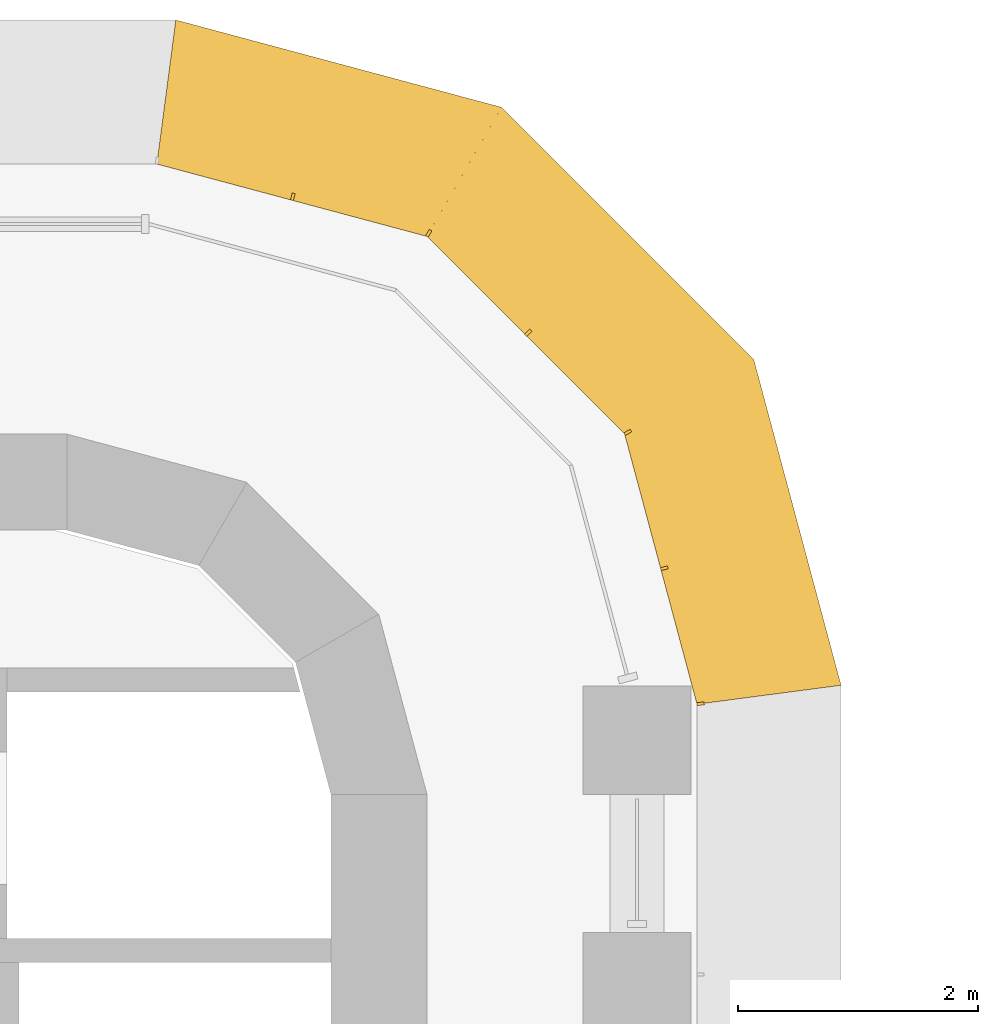
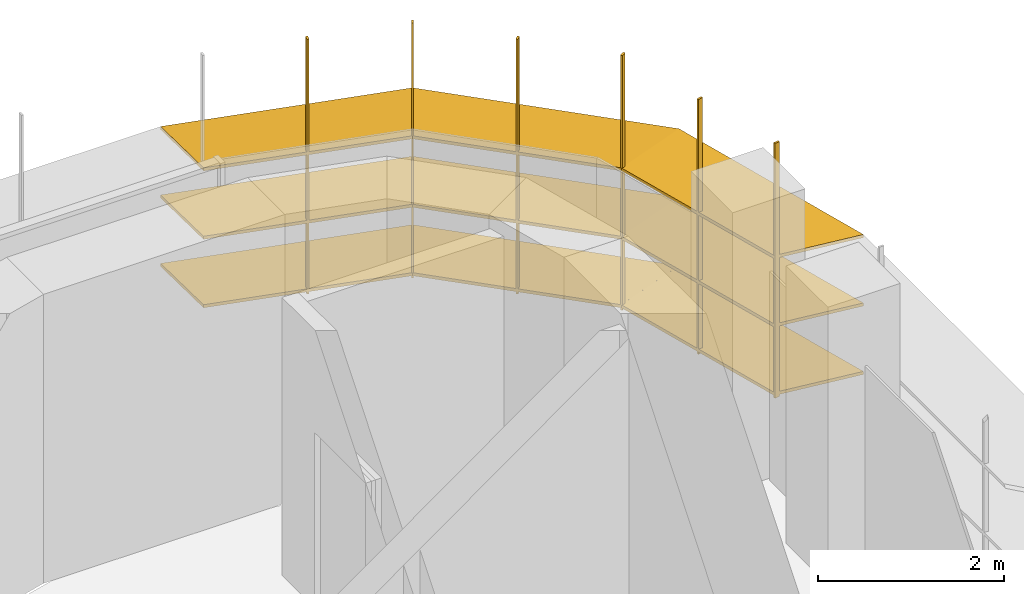
# One storey, part 22 of 22: 1 shading device.
"""IFC4 building model written with IfcOpenShell, lengths in metres."""

from ifc_helpers import new_model, si_unit, direction, frame, origin, place, context, subcontext, project, spatial, polyline, outline, extrude, faceted_brep, source, transform, mapped, material, type_object, element, save


model = new_model("IFC4")

# Units and contexts
model_context = context("Model", 3, precision=1e-05, world=origin(), true_north=direction((0.0, 1.0)))
body_context = subcontext(model_context, "Body", "Model", "MODEL_VIEW")
ifc_project = project(units=[si_unit("LENGTHUNIT", "METRE"), si_unit("AREAUNIT", "SQUARE_METRE"), si_unit("VOLUMEUNIT", "CUBIC_METRE"), si_unit("PLANEANGLEUNIT", "RADIAN"), si_unit("MASSUNIT", "GRAM", prefix="KILO")], contexts=[model_context])

# Site, building, storey
site_placement = place(None, origin())
site = spatial("IfcSite", under=ifc_project, at=site_placement, CompositionType="ELEMENT")
building_placement = place(site_placement, origin())
building = spatial("IfcBuilding", under=site, at=building_placement, Name="Zarbagh Exchange Tower", CompositionType="ELEMENT")
storey_placement = place(building_placement, frame((0.0, 0.0, 105.60009765625)))
storey = spatial("IfcBuildingStorey", under=building, at=storey_placement, Name="L24", CompositionType="ELEMENT", Elevation=105.60009765625)

# Shading device
ifc_material = material(Name="Anodised aluminium blades and brackets", Category="aluminium")
shading_device_type = type_object("IfcShadingDeviceType", Name="SUNSHADE louvre band, 11.25 degree blades", PredefinedType="JALOUSIE", material=ifc_material)
shared_shape_1 = source(origin(), body_context, "Body", "Brep", [
    faceted_brep([(0.0, 0.0, 0.0), (0.0, 0.0, -0.040771484375), (-0.157958984375, -1.199951171875, -0.279541015625), (-0.157958984375, -1.199951171875, -0.23876953125), (2.65087890625, -1.199951171875, -0.23876953125), (2.65087890625, -1.199951171875, -0.279541015625), (2.329345703125, 0.0, -0.040771484375), (2.329345703125, 0.0, 0.0)], [[[0, 1, 2, 3]], [[4, 5, 6, 7]], [[0, 7, 6, 1]], [[1, 6, 5, 2]], [[2, 5, 4, 3]], [[3, 4, 7, 0]]]),
])
shared_shape_2 = source(origin(), body_context, "Body", "Brep", [
    faceted_brep([(0.0, 0.0, 0.0), (0.0, 0.0, -0.040771484375), (-0.321533203125, -1.199951171875, -0.279541015625), (-0.321533203125, -1.199951171875, -0.23876953125), (2.65087890625, -1.199951171875, -0.23876953125), (2.65087890625, -1.199951171875, -0.279541015625), (2.329345703125, 0.0, -0.040771484375), (2.329345703125, 0.0, 0.0)], [[[0, 1, 2, 3]], [[4, 5, 6, 7]], [[0, 7, 6, 1]], [[1, 6, 5, 2]], [[2, 5, 4, 3]], [[3, 4, 7, 0]]]),
])
shared_shape_3 = source(origin(), body_context, "Body", "Brep", [
    faceted_brep([(0.0, 0.0, 0.0), (0.0, 0.0, -0.040771484375), (-0.321533203125, -1.199951171875, -0.279541015625), (-0.321533203125, -1.199951171875, -0.23876953125), (2.4873046875, -1.199951171875, -0.23876953125), (2.4873046875, -1.199951171875, -0.279541015625), (2.329345703125, 0.0, -0.040771484375), (2.329345703125, 0.0, 0.0)], [[[0, 1, 2, 3]], [[4, 5, 6, 7]], [[0, 7, 6, 1]], [[1, 6, 5, 2]], [[2, 5, 4, 3]], [[3, 4, 7, 0]]]),
])
shared_shape_4 = source(origin(), body_context, "Body", "SweptSolid", [
    extrude(outline(polyline([(0.0, -0.012451171875), (0.06005859375, -0.012451171875), (0.06005859375, 0.012451171875), (0.0, 0.012451171875), (0.0, -0.012451171875)])), origin(), (0.0, 0.0, 1.0), 3.350830078125),
])
shading_device_placement = place(storey_placement, origin())
element("IfcShadingDevice", 1, at=shading_device_placement, inside=storey, type_object=shading_device_type, Name="SS26 sunshade band", PredefinedType="JALOUSIE", context=body_context, shape_type="MappedRepresentation", body=[
    mapped(shared_shape_1, transform((6.75, 27.0, 2.2998046875), x_axis=(-0.258824779902, 0.965924289636, 0.0), y_axis=(-0.965924289636, -0.258824779902, 0.0), z_axis=(0.0, 0.0, 1.0))),
    mapped(shared_shape_1, transform((6.75, 27.0, 1.39990234375), x_axis=(-0.258824779902, 0.965924289636, 0.0), y_axis=(-0.965924289636, -0.258824779902, 0.0), z_axis=(0.0, 0.0, 1.0))),
    mapped(shared_shape_1, transform((6.75, 27.0, 0.5), x_axis=(-0.258824779902, 0.965924289636, 0.0), y_axis=(-0.965924289636, -0.258824779902, 0.0), z_axis=(0.0, 0.0, 1.0))),
    mapped(shared_shape_2, transform((6.147216796875, 29.25, 2.2998046875), x_axis=(-0.707106781187, 0.707106781187, 0.0), y_axis=(-0.707106781187, -0.707106781187, 0.0), z_axis=(0.0, 0.0, 1.0))),
    mapped(shared_shape_2, transform((6.147216796875, 29.25, 1.39990234375), x_axis=(-0.707106781187, 0.707106781187, 0.0), y_axis=(-0.707106781187, -0.707106781187, 0.0), z_axis=(0.0, 0.0, 1.0))),
    mapped(shared_shape_2, transform((6.147216796875, 29.25, 0.5), x_axis=(-0.707106781187, 0.707106781187, 0.0), y_axis=(-0.707106781187, -0.707106781187, 0.0), z_axis=(0.0, 0.0, 1.0))),
    mapped(shared_shape_3, transform((4.5, 30.897216796875, 2.2998046875), x_axis=(-0.965924289636, 0.258824779902, 0.0), y_axis=(-0.258824779902, -0.965924289636, 0.0), z_axis=(0.0, 0.0, 1.0))),
    mapped(shared_shape_3, transform((4.5, 30.897216796875, 1.39990234375), x_axis=(-0.965924289636, 0.258824779902, 0.0), y_axis=(-0.258824779902, -0.965924289636, 0.0), z_axis=(0.0, 0.0, 1.0))),
    mapped(shared_shape_3, transform((4.5, 30.897216796875, 0.5), x_axis=(-0.965924289636, 0.258824779902, 0.0), y_axis=(-0.258824779902, -0.965924289636, 0.0), z_axis=(0.0, 0.0, 1.0))),
    mapped(shared_shape_4, transform((6.75, 27.0, 0.42919921875), x_axis=(0.991444457092, 0.130529263012, 0.0), y_axis=(-0.130529263012, 0.991444457092, 0.0), z_axis=(0.0, 0.0, 1.0))),
    mapped(shared_shape_4, transform((6.448486328125, 28.125, 0.42919921875), x_axis=(0.96592421511, 0.258825058029, 0.0), y_axis=(-0.258825058029, 0.96592421511, 0.0), z_axis=(0.0, 0.0, 1.0))),
    mapped(shared_shape_4, transform((6.147216796875, 29.25, 0.42919921875), x_axis=(0.866023812018, 0.50000275701, 0.0), y_axis=(-0.50000275701, 0.866023812018, 0.0), z_axis=(0.0, 0.0, 1.0))),
    mapped(shared_shape_4, transform((5.323486328125, 30.073486328125, 0.42919921875), x_axis=(0.707106781187, 0.707106781187, 0.0), y_axis=(-0.707106781187, 0.707106781187, 0.0), z_axis=(0.0, 0.0, 1.0))),
    mapped(shared_shape_4, transform((4.5, 30.897216796875, 0.42919921875), x_axis=(0.50000275701, 0.866023812018, 0.0), y_axis=(-0.866023812018, 0.50000275701, 0.0), z_axis=(0.0, 0.0, 1.0))),
    mapped(shared_shape_4, transform((3.375, 31.198486328125, 0.42919921875), x_axis=(0.258825058029, 0.96592421511, 0.0), y_axis=(-0.96592421511, 0.258825058029, 0.0), z_axis=(0.0, 0.0, 1.0))),
])

save(model, "model.ifc")
